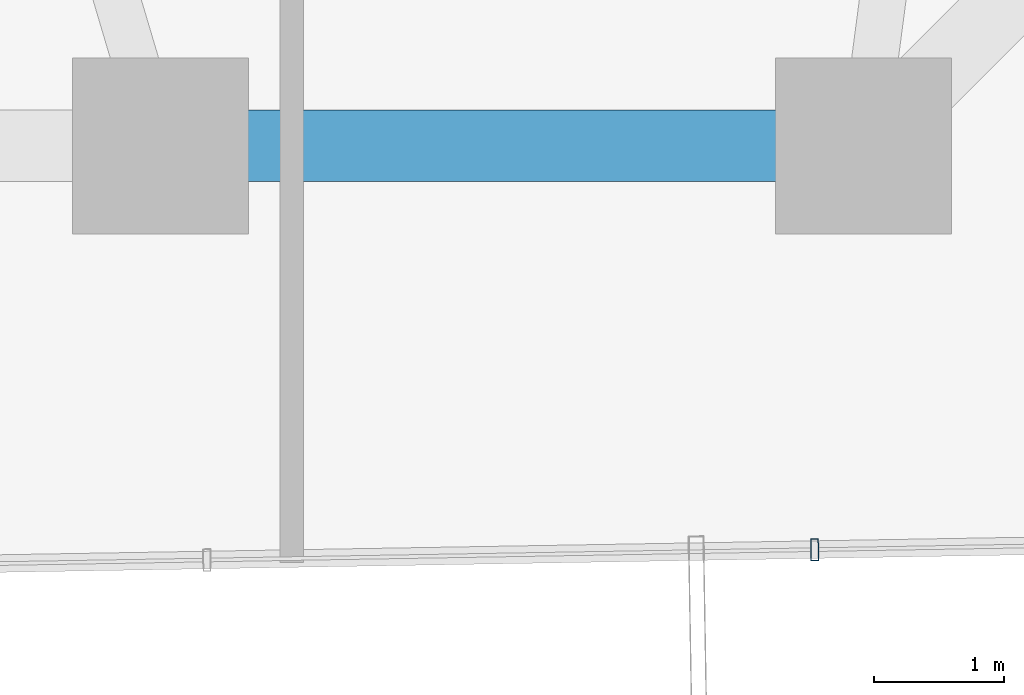
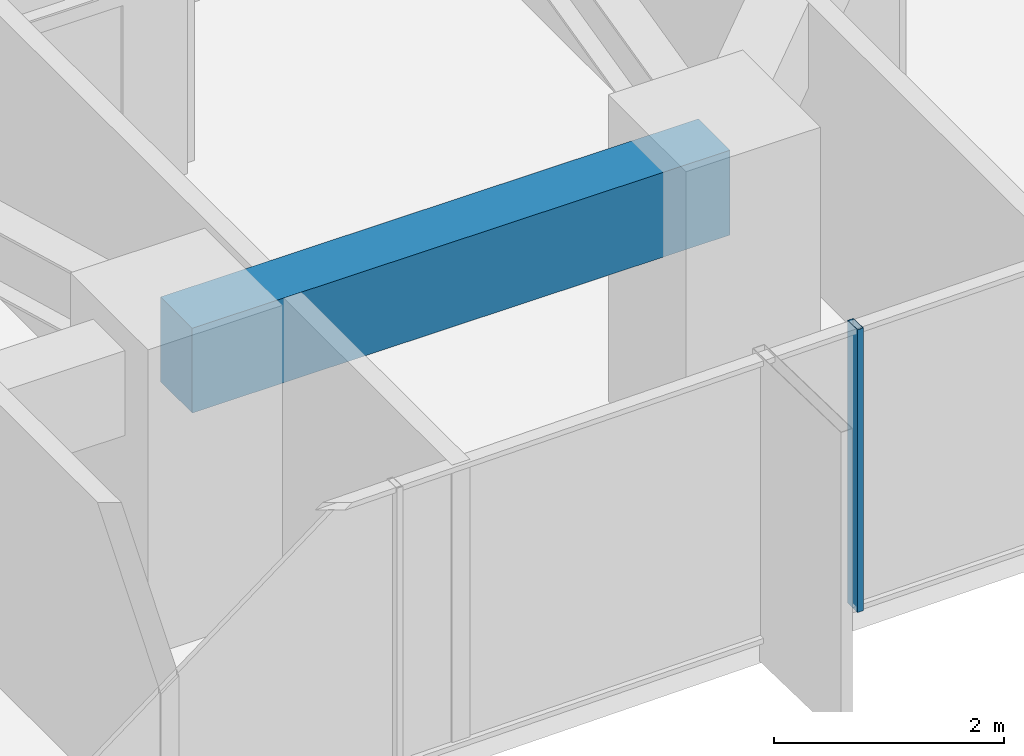
# One storey, part 8 of 39: 1 beam, 1 member, 1 element without a shape of its own.
"""IFC4 building model written with IfcOpenShell, lengths in metres."""

from ifc_helpers import new_model, si_unit, direction, frame, origin, origin_2d, place, context, subcontext, project, spatial, rectangle, hollow_rectangle, extrude, source, transform, mapped, material, layer, layer_set, material_profile, profile_set, type_object, element, aggregate, save


model = new_model("IFC4")

# Units and contexts
model_context = context("Model", 3, precision=1e-05, world=origin(), true_north=direction((0.0, 1.0)))
body_context = subcontext(model_context, "Body", "Model", "MODEL_VIEW")
ifc_project = project(units=[si_unit("LENGTHUNIT", "METRE"), si_unit("AREAUNIT", "SQUARE_METRE"), si_unit("VOLUMEUNIT", "CUBIC_METRE"), si_unit("PLANEANGLEUNIT", "RADIAN"), si_unit("MASSUNIT", "GRAM", prefix="KILO")], contexts=[model_context])

# Site, building, storey
site_placement = place(None, origin())
site = spatial("IfcSite", under=ifc_project, at=site_placement, CompositionType="ELEMENT")
building_placement = place(site_placement, origin())
building = spatial("IfcBuilding", under=site, at=building_placement, Name="Veraguas Prism Commons", CompositionType="ELEMENT")
storey_placement = place(building_placement, frame((0.0, 0.0, 27.300048828125)))
storey = spatial("IfcBuildingStorey", under=building, at=storey_placement, Name="L06", CompositionType="ELEMENT", Elevation=27.300048828125)

# Beam
ifc_material_1 = material(Name="Concrete C50/60", Category="concrete")
ifc_material_profile_1 = material_profile(ifc_material_1, rectangle(XDim=0.550048828125, YDim=0.89990234375, at=origin_2d()), Name="RC550X900")
ifc_profile_set_1 = profile_set([ifc_material_profile_1], Name="Concrete C50/60")
beam_type = type_object("IfcBeamType", Name="Perimeter Spandrel Lower RC 550x900", PredefinedType="SPANDREL", material=ifc_profile_set_1)
beam_placement = place(storey_placement, frame((24.0, 6.39990234375, 2.550048828125), z_axis=(1.0, 0.0, 0.0), x_axis=(0.0, 1.0, 0.0)))
element("IfcBeam", 1, at=beam_placement, inside=storey, type_object=beam_type, Name="Perimeter Spandrel Beam L06-SP11", PredefinedType="SPANDREL", context=body_context, shape_type="SweptSolid", body=[
    extrude(rectangle(XDim=0.550048828125, YDim=0.89990234375, at=origin_2d()), origin(), (0.0, 0.0, 1.0), 5.39990234375),
])

# Curtain wall, member
ifc_material_2 = material(Name="Anodised aluminium EN AW-6063 T6", Category="aluminium")
ifc_layer = layer(ifc_material_2, 0.169921875, Name="Unitised Flush Curtain Wall Zone 1", Category="aluminium")
ifc_layer_set = layer_set([ifc_layer], Name="Anodised aluminium EN AW-6063 T6")
curtain_wall_type = type_object("IfcCurtainWallType", Name="Unitised Flush Curtain Wall Zone 1", PredefinedType="NOTDEFINED", material=ifc_layer_set)
curtain_wall_placement = place(storey_placement, origin())
curtain_wall = element("IfcCurtainWall", 2, at=curtain_wall_placement, inside=storey, type_object=curtain_wall_type, Name="Tower Facade Curtain Wall L06-F5", PredefinedType="NOTDEFINED")
ifc_material_profile_2 = material_profile(ifc_material_2, hollow_rectangle(XDim=0.06005859375, YDim=0.169921875, WallThickness=0.00390625, at=origin_2d()), Name="AL60X170X4")
ifc_profile_set_2 = profile_set([ifc_material_profile_2], Name="Anodised aluminium EN AW-6063 T6")
member_type = type_object("IfcMemberType", Name="Curtain Wall Mullion Lower AL 60x170x4", PredefinedType="MULLION", material=ifc_profile_set_2)
shared_shape = source(origin(), body_context, "Body", "SweptSolid", [
    extrude(hollow_rectangle(XDim=0.06005859375, YDim=0.169921875, WallThickness=0.00390625, at=origin_2d()), origin(), (0.0, 0.0, 1.0), 3.0),
])
member_placement = place(storey_placement, frame((29.025634765625, 3.29833984375, 0.0), z_axis=(0.0, 0.0, 1.0), x_axis=(0.999853696429, 0.017105137769, 0.0)))
member = element("IfcMember", 3, at=member_placement, type_object=member_type, Name="CW-Z1 Mullion 4", PredefinedType="MULLION", context=body_context, shape_type="MappedRepresentation", body=[
    mapped(shared_shape, transform((0.0, 0.0, 0.0), scale=1.0)),
])
aggregate(curtain_wall, [member])

save(model, "model.ifc")
